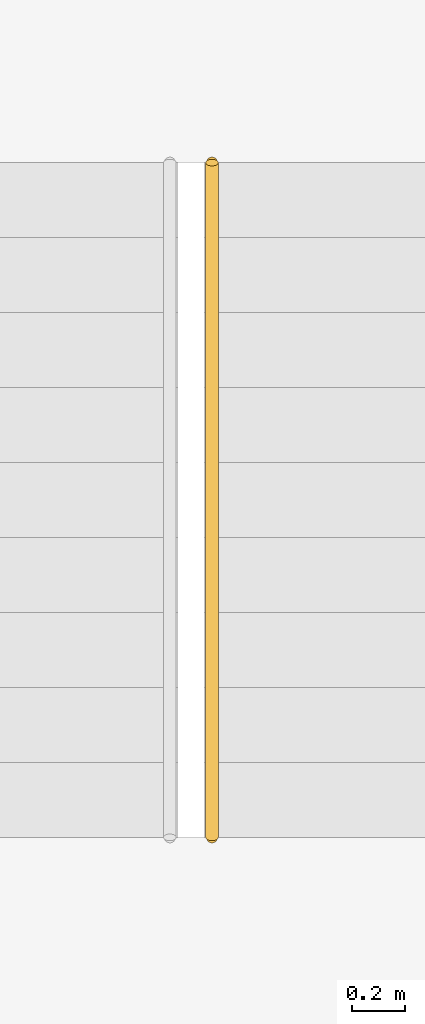
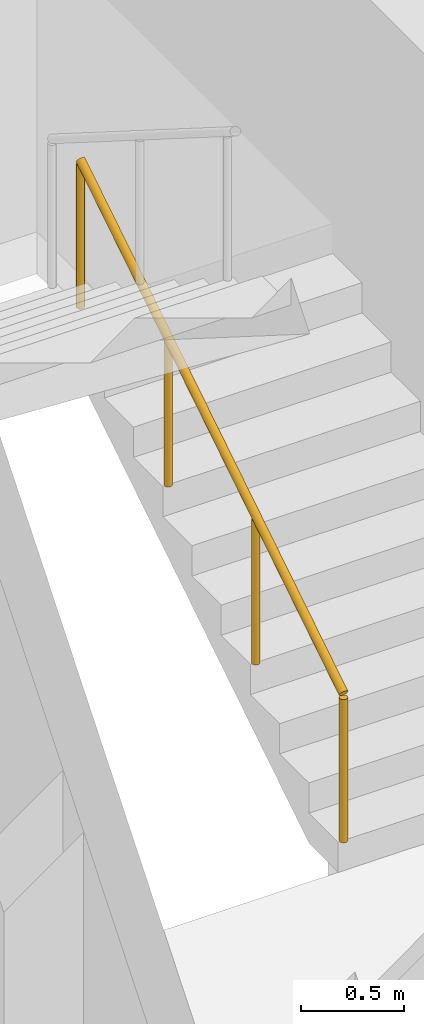
# One storey, part 41 of 41: 1 railing.
"""IFC4 building model written with IfcOpenShell, lengths in metres."""

from ifc_helpers import new_model, si_unit, direction, frame, origin, origin_2d, place, context, subcontext, project, spatial, circle, extrude, source, transform, mapped, material, type_object, element, save


model = new_model("IFC4")

# Units and contexts
model_context = context("Model", 3, precision=1e-05, world=origin(), true_north=direction((0.0, 1.0)))
body_context = subcontext(model_context, "Body", "Model", "MODEL_VIEW")
ifc_project = project(units=[si_unit("LENGTHUNIT", "METRE"), si_unit("AREAUNIT", "SQUARE_METRE"), si_unit("VOLUMEUNIT", "CUBIC_METRE"), si_unit("PLANEANGLEUNIT", "RADIAN"), si_unit("MASSUNIT", "GRAM", prefix="KILO")], contexts=[model_context])

# Site, building, storey
site_placement = place(None, origin())
site = spatial("IfcSite", under=ifc_project, at=site_placement, CompositionType="ELEMENT")
building_placement = place(site_placement, origin())
building = spatial("IfcBuilding", under=site, at=building_placement, Name="Altepetl Exchange Towers", CompositionType="ELEMENT")
storey_placement = place(building_placement, frame((0.0, 0.0, 206.39990234375)))
storey = spatial("IfcBuildingStorey", under=building, at=storey_placement, Name="L52", CompositionType="ELEMENT", Elevation=206.39990234375)

# Railing
ifc_material = material(Name="Steel", Category="steel")
railing_type = type_object("IfcRailingType", Name="Stair handrail 50 steel tube", PredefinedType="HANDRAIL", material=ifc_material)
shared_shape = source(origin(), body_context, "Body", "SweptSolid", [
    extrude(circle(Radius=0.02099609375, at=origin_2d()), origin(), (0.0, 0.0, 1.0), 0.851806640625),
])
railing_placement = place(storey_placement, frame((115.080078125, 43.550048828125, 0.18017578125)))
element("IfcRailing", 1, at=railing_placement, inside=storey, type_object=railing_type, Name="Stair handrail", PredefinedType="HANDRAIL", context=body_context, shape_type="SweptSolid", body=[
    extrude(circle(Radius=0.02392578125, at=origin_2d()), frame((0.0, 0.0, 0.8759765625), z_axis=(0.0, 0.845502289212, 0.533971796014), x_axis=(-1.0, 0.0, 0.0)), (0.0, 0.0, 1.0), 3.03369140625),
    mapped(shared_shape, transform((0.0, 0.0, 0.0))),
    mapped(shared_shape, transform((0.0, 0.85498046875, 0.5400390625))),
    mapped(shared_shape, transform((0.0, 1.7099609375, 1.079833984375))),
    mapped(shared_shape, transform((0.0, 2.56494140625, 1.619873046875))),
])

save(model, "model.ifc")
